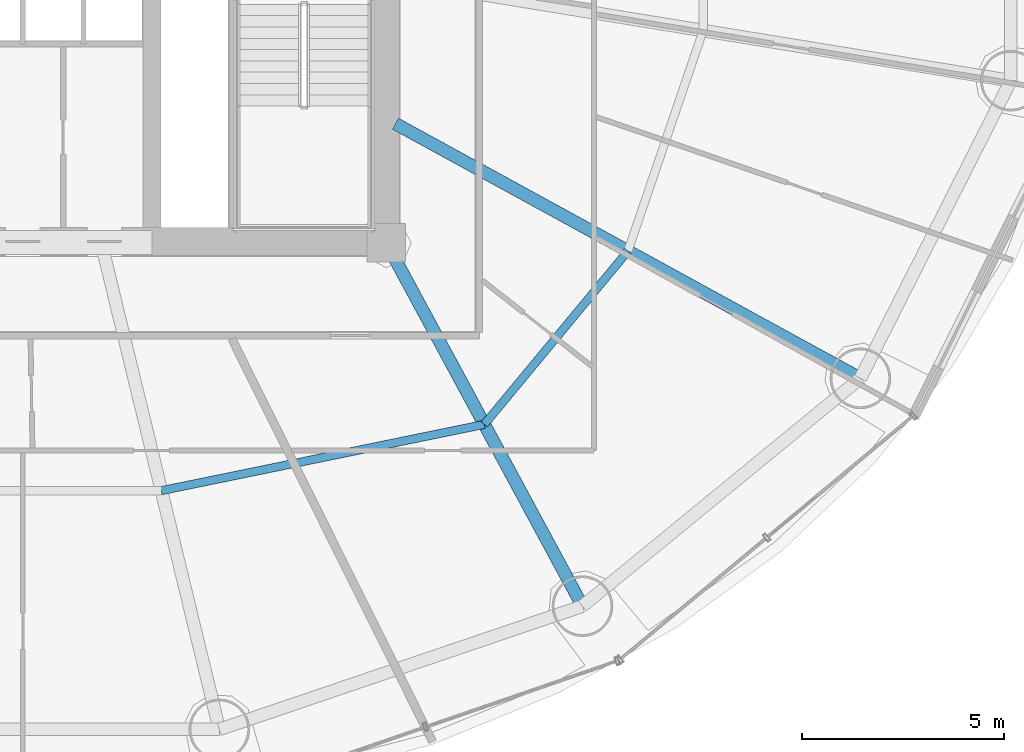
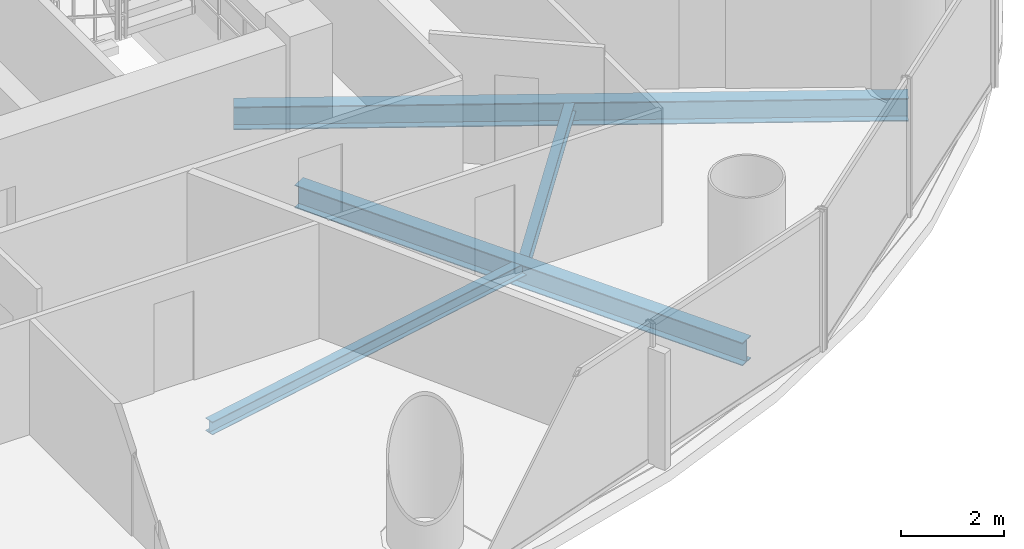
# One storey, part 11 of 28: 4 beams.
"""IFC4 building model written with IfcOpenShell, lengths in metres."""

from ifc_helpers import new_model, si_unit, direction, frame, origin, origin_2d, place, context, subcontext, project, spatial, i_section, extrude, material, material_profile, profile_set, type_object, element, save


model = new_model("IFC4")

# Units and contexts
model_context = context("Model", 3, precision=1e-05, world=origin(), true_north=direction((-0.2419218956, 0.970295726276)))
body_context = subcontext(model_context, "Body", "Model", "MODEL_VIEW")
ifc_project = project(units=[si_unit("LENGTHUNIT", "METRE"), si_unit("AREAUNIT", "SQUARE_METRE"), si_unit("VOLUMEUNIT", "CUBIC_METRE"), si_unit("PLANEANGLEUNIT", "RADIAN"), si_unit("MASSUNIT", "GRAM", prefix="KILO")], contexts=[model_context])

# Site, building, storey
site_placement = place(None, origin())
site = spatial("IfcSite", under=ifc_project, at=site_placement, CompositionType="ELEMENT")
building_placement = place(site_placement, origin())
building = spatial("IfcBuilding", under=site, at=building_placement, Name="Cobrevalo Terracotta Tower", CompositionType="ELEMENT")
storey_placement = place(building_placement, frame((0.0, 0.0, 101.39990234375)))
storey = spatial("IfcBuildingStorey", under=building, at=storey_placement, Name="L26", CompositionType="ELEMENT", Elevation=101.39990234375)

# Beams
ifc_material = material(Name="Steel S355", Category="steel")
ifc_material_profile_1 = material_profile(ifc_material, i_section(OverallWidth=0.31201171875, OverallDepth=0.54296875, WebThickness=0.0126953125, FlangeThickness=0.020263671875, at=origin_2d()), Name="W 530x150")
ifc_profile_set_1 = profile_set([ifc_material_profile_1], Name="Steel S355")
beam_type_1 = type_object("IfcBeamType", Name="Structural Beam W 530x150 (Steel S355)", PredefinedType="BEAM", material=ifc_profile_set_1)
beam_1_placement = place(storey_placement, frame((51.861572265625, 9.79638671875, -0.54638671875), z_axis=(-0.475118249298, 0.879921956303, 0.0), x_axis=(-0.879921956303, -0.475118249298, 0.0)))
element("IfcBeam", 1, at=beam_1_placement, inside=storey, type_object=beam_type_1, Name="L26 radial floor girder 14", PredefinedType="BEAM", context=body_context, shape_type="SweptSolid", body=[
    extrude(i_section(OverallWidth=0.31201171875, OverallDepth=0.54296875, WebThickness=0.0126953125, FlangeThickness=0.020263671875, at=origin_2d()), origin(), (0.0, 0.0, 1.0), 10.232421875),
])
beam_2_placement = place(storey_placement, frame((58.7451171875, 15.4384765625, -0.54638671875), z_axis=(-0.877072765004, 0.480357538599, 0.0), x_axis=(-0.480357538599, -0.877072765004, 0.0)))
element("IfcBeam", 2, at=beam_2_placement, inside=storey, type_object=beam_type_1, Name="L26 radial floor girder 15", PredefinedType="BEAM", context=body_context, shape_type="SweptSolid", body=[
    extrude(i_section(OverallWidth=0.31201171875, OverallDepth=0.54296875, WebThickness=0.0126953125, FlangeThickness=0.020263671875, at=origin_2d()), origin(), (0.0, 0.0, 1.0), 13.129150390625),
])
ifc_material_profile_2 = material_profile(ifc_material, i_section(OverallWidth=0.2041015625, OverallDepth=0.305908203125, WebThickness=0.008544921875, FlangeThickness=0.0146484375, at=origin_2d()), Name="W 310x67")
ifc_profile_set_2 = profile_set([ifc_material_profile_2], Name="Steel S355")
beam_type_2 = type_object("IfcBeamType", Name="Structural Joist W 310x67 (Steel S355)", PredefinedType="JOIST", material=ifc_profile_set_2)
beam_3_placement = place(storey_placement, frame((41.432373046875, 12.656494140625, -0.427978515625), z_axis=(0.979574469315, 0.201081722357, 0.0), x_axis=(-0.201081722357, 0.979574469315, 0.0)))
element("IfcBeam", 3, at=beam_3_placement, inside=storey, type_object=beam_type_2, Name="L26 circumferential secondary floor joist 13", PredefinedType="JOIST", context=body_context, shape_type="SweptSolid", body=[
    extrude(i_section(OverallWidth=0.2041015625, OverallDepth=0.305908203125, WebThickness=0.008544921875, FlangeThickness=0.0146484375, at=origin_2d()), origin(), (0.0, 0.0, 1.0), 8.1650390625),
])
beam_4_placement = place(storey_placement, frame((49.4306640625, 14.29833984375, -0.427978515625), z_axis=(0.6379592588, 0.77007011636, 0.0), x_axis=(-0.77007011636, 0.6379592588, 0.0)))
element("IfcBeam", 4, at=beam_4_placement, inside=storey, type_object=beam_type_2, Name="L26 circumferential secondary floor joist 14", PredefinedType="JOIST", context=body_context, shape_type="SweptSolid", body=[
    extrude(i_section(OverallWidth=0.2041015625, OverallDepth=0.305908203125, WebThickness=0.008544921875, FlangeThickness=0.0146484375, at=origin_2d()), origin(), (0.0, 0.0, 1.0), 5.575439453125),
])

save(model, "model.ifc")
